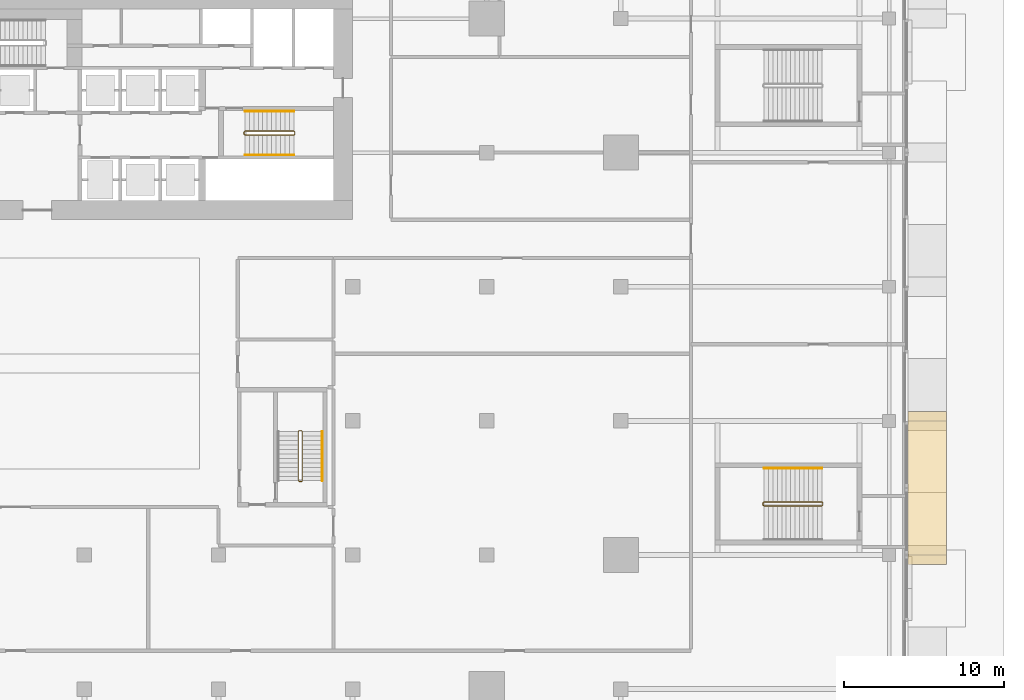
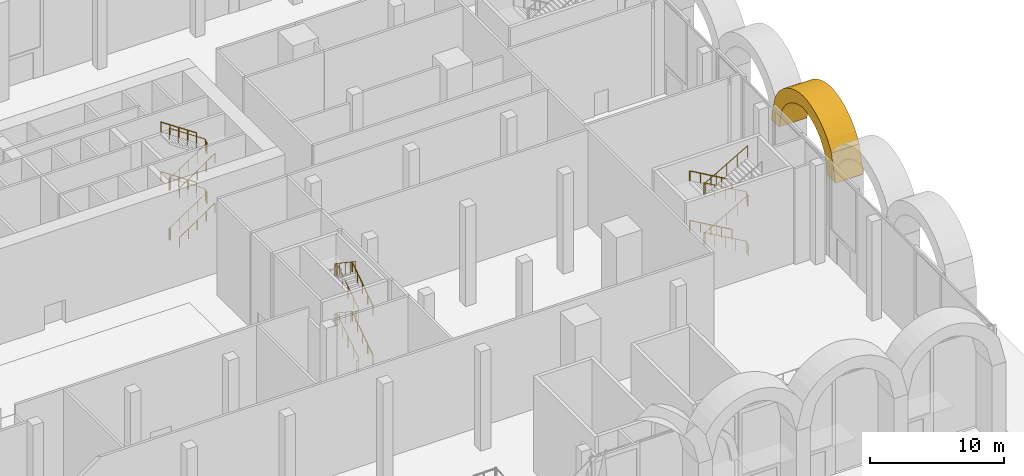
# One storey, part 39 of 43: 11 railings, 1 covering.
"""IFC4 building model written with IfcOpenShell, lengths in metres."""

from ifc_helpers import new_model, si_unit, direction, frame, origin, origin_2d, place, context, subcontext, project, spatial, polyline, circle, outline, extrude, material, layer, layer_set, type_object, element, save


model = new_model("IFC4")

# Units and contexts
model_context = context("Model", 3, precision=1e-05, world=origin(), true_north=direction((0.0, 1.0)))
body_context = subcontext(model_context, "Body", "Model", "MODEL_VIEW")
ifc_project = project(units=[si_unit("LENGTHUNIT", "METRE"), si_unit("AREAUNIT", "SQUARE_METRE"), si_unit("VOLUMEUNIT", "CUBIC_METRE"), si_unit("PLANEANGLEUNIT", "RADIAN"), si_unit("MASSUNIT", "GRAM", prefix="KILO")], contexts=[model_context])

# Site, building, storey
site_placement = place(None, origin())
site = spatial("IfcSite", under=ifc_project, at=site_placement, CompositionType="ELEMENT")
building_placement = place(site_placement, origin())
building = spatial("IfcBuilding", under=site, at=building_placement, Name="Saffron Gate Tower", CompositionType="ELEMENT")
storey_placement = place(building_placement, origin())
storey = spatial("IfcBuildingStorey", under=building, at=storey_placement, Name="L00", CompositionType="ELEMENT", Elevation=0.0)

# Covering
ifc_material_1 = material(Name="Cast stone cladding, pale limestone", Category="masonry")
ifc_layer = layer(ifc_material_1, 2.39990234375)
ifc_layer_set = layer_set([ifc_layer], Name="AR2 arcade arch")
covering_type = type_object("IfcCoveringType", Name="AR2 arcade arch", PredefinedType="CLADDING", material=ifc_layer_set)
covering_placement = place(storey_placement, frame((145.800048828125, 40.800048828125, 7.0), z_axis=(1.0, 0.0, 0.0), x_axis=(0.0, 0.239115028028, 0.970991247835)))
element("IfcCovering", 1, at=covering_placement, inside=storey, type_object=covering_type, Name="ARCADE ARCH", PredefinedType="CLADDING", context=body_context, shape_type="SweptSolid", body=[
    extrude(outline(polyline([(0.0, 0.0), (1.881735228381075, 0.0), (2.646925345116447, -0.2749589311548678), (3.203267002539746, -0.6013486093049456), (3.6394784237266933, -0.9575728359066504), (3.990290439579541, -1.334575973358484), (4.272829633319021, -1.7283918862185135), (4.4965783413497675, -2.136685466791156), (4.666988907104446, -2.558114028151451), (4.7118168931901065, -3.0107198248883336), (4.70324835930731, -3.4762235440027536), (4.63588933971578, -3.956204930829786), (4.500257498010882, -4.452999093065014), (4.279284628664273, -4.970809224560487), (3.9381815230813135, -5.518453904507588), (3.3881715804938914, -6.117292273039781), (1.721616526260766, -6.991089572726843), (2.0085428843554953, -8.156231658446298), (4.17216134140188, -7.005647442456348), (4.878523373773681, -6.213673843174959), (5.310371767231315, -5.489301611680691), (5.5839235204239435, -4.804162737112771), (5.743391800658454, -4.146866474174116), (5.8116509706907475, -3.512282681215563), (5.800200137231722, -2.897076734489788), (5.715735313457013, -2.29985111702), (5.513273779136993, -1.7319346487703329), (5.237739876808899, -1.1817614513665375), (4.882612726374266, -0.6514402170157529), (4.436159710352636, -0.14335733582483634), (3.8756815990652784, 0.3366458753266979), (3.1569068475129147, 0.7774157295518843), (2.1635600793539953, 1.1508212744000663), (-0.2869263580947294, 1.1651420857194545), (0.0, 0.0)])), origin(), (0.0, 0.0, -1.0), 2.39990234375),
])

# Railings
ifc_material_2 = material(Name="Stainless steel and laminated glass", Category="steel")
railing_type_1 = type_object("IfcRailingType", Name="CR1 Stair guard 1100", PredefinedType="GUARDRAIL", material=ifc_material_2)
railing_1_placement = place(storey_placement, frame((101.800048828125, 66.699951171875, 0.0)))
element("IfcRailing", 2, at=railing_1_placement, inside=storey, type_object=railing_type_1, Name="L00 ST-B stair guard 1", PredefinedType="GUARDRAIL", context=body_context, shape_type="SweptSolid", body=[
    extrude(circle(Radius=0.02392578125, at=origin_2d()), frame((0.0, 0.0, 1.076171875), z_axis=(0.0, -1.0, 0.0), x_axis=(1.0, 0.0, 0.0)), (0.0, 0.0, 1.0), 0.14990234375),
    extrude(circle(Radius=0.02392578125, at=origin_2d()), frame((0.0, -0.14990234375, 1.076171875), z_axis=(0.249726431254, -0.249726431254, 0.935560483917), x_axis=(0.707106781187, 0.707106781187, 0.0)), (0.0, 0.0, 1.0), 0.200439453125),
    extrude(circle(Radius=0.02392578125, at=origin_2d()), frame((0.050048828125, -0.199951171875, 1.263671875), z_axis=(0.830893310487, 0.0, 0.556431762742), x_axis=(0.0, 1.0, 0.0)), (0.0, 0.0, 1.0), 3.70654296875),
    extrude(circle(Radius=0.02392578125, at=origin_2d()), frame((3.1298828125, -0.199951171875, 3.326171875), z_axis=(0.707106781187, 0.707106781187, 0.0), x_axis=(-0.707106781187, 0.707106781187, 0.0)), (0.0, 0.0, 1.0), 0.07080078125),
    extrude(circle(Radius=0.02392578125, at=origin_2d()), frame((3.179931640625, -0.14990234375, 3.326171875), z_axis=(0.0, 1.0, 0.0), x_axis=(-1.0, 0.0, 0.0)), (0.0, 0.0, 1.0), 0.14990234375),
    extrude(circle(Radius=0.02392578125, at=origin_2d()), frame((3.179931640625, 0.0, 3.326171875), z_axis=(-0.249726431254, 0.249726431254, 0.935560483917), x_axis=(-0.707106781187, -0.707106781187, 0.0)), (0.0, 0.0, 1.0), 0.200439453125),
    extrude(circle(Radius=0.02392578125, at=origin_2d()), frame((3.1298828125, 0.050048828125, 3.513671875), z_axis=(-0.830893310487, 0.0, 0.556431762742), x_axis=(0.0, -1.0, 0.0)), (0.0, 0.0, 1.0), 3.70654296875),
    extrude(circle(Radius=0.02392578125, at=origin_2d()), frame((0.050048828125, 0.050048828125, 5.576171875), z_axis=(-0.707106781187, -0.707106781187, 0.0), x_axis=(0.707106781187, -0.707106781187, 0.0)), (0.0, 0.0, 1.0), 0.07080078125),
    extrude(circle(Radius=0.02392578125, at=origin_2d()), frame((0.0, 0.0, 5.576171875), z_axis=(0.0, -1.0, 0.0), x_axis=(1.0, 0.0, 0.0)), (0.0, 0.0, 1.0), 0.14990234375),
    extrude(circle(Radius=0.02392578125, at=origin_2d()), frame((0.0, -0.14990234375, 5.576171875), z_axis=(0.249726431254, -0.249726431254, 0.935560483917), x_axis=(0.707106781187, 0.707106781187, 0.0)), (0.0, 0.0, 1.0), 0.200439453125),
    extrude(circle(Radius=0.02392578125, at=origin_2d()), frame((0.050048828125, -0.199951171875, 5.763671875), z_axis=(0.830893310487, 0.0, 0.556431762742), x_axis=(0.0, 1.0, 0.0)), (0.0, 0.0, 1.0), 3.70654296875),
    extrude(circle(Radius=0.02392578125, at=origin_2d()), frame((3.1298828125, -0.199951171875, 7.826171875), z_axis=(0.707106781187, 0.707106781187, 0.0), x_axis=(-0.707106781187, 0.707106781187, 0.0)), (0.0, 0.0, 1.0), 0.07080078125),
    extrude(circle(Radius=0.02392578125, at=origin_2d()), frame((3.179931640625, -0.14990234375, 7.826171875), z_axis=(0.0, 1.0, 0.0), x_axis=(-1.0, 0.0, 0.0)), (0.0, 0.0, 1.0), 0.14990234375),
    extrude(circle(Radius=0.02392578125, at=origin_2d()), frame((3.179931640625, 0.0, 7.826171875), z_axis=(-0.249726431254, 0.249726431254, 0.935560483917), x_axis=(-0.707106781187, -0.707106781187, 0.0)), (0.0, 0.0, 1.0), 0.200439453125),
    extrude(circle(Radius=0.02392578125, at=origin_2d()), frame((3.1298828125, 0.050048828125, 8.013671875), z_axis=(-0.830893310487, 0.0, 0.556431762742), x_axis=(0.0, -1.0, 0.0)), (0.0, 0.0, 1.0), 3.70654296875),
    extrude(circle(Radius=0.02099609375, at=origin_2d()), origin(), (0.0, 0.0, 1.0), 1.052001953125),
    extrude(circle(Radius=0.02099609375, at=origin_2d()), frame((0.0, -0.14990234375, 0.0)), (0.0, 0.0, 1.0), 1.052001953125),
    extrude(circle(Radius=0.02099609375, at=origin_2d()), frame((0.050048828125, -0.199951171875, 0.1875)), (0.0, 0.0, 1.0), 1.052001953125),
    extrude(circle(Radius=0.02099609375, at=origin_2d()), frame((0.820068359375, -0.199951171875, 0.703125)), (0.0, 0.0, 1.0), 1.052001953125),
    extrude(circle(Radius=0.02099609375, at=origin_2d()), frame((1.58984375, -0.199951171875, 1.21875)), (0.0, 0.0, 1.0), 1.052001953125),
    extrude(circle(Radius=0.02099609375, at=origin_2d()), frame((2.35986328125, -0.199951171875, 1.734375)), (0.0, 0.0, 1.0), 1.052001953125),
    extrude(circle(Radius=0.02099609375, at=origin_2d()), frame((3.1298828125, -0.199951171875, 2.25)), (0.0, 0.0, 1.0), 1.052001953125),
    extrude(circle(Radius=0.02099609375, at=origin_2d()), frame((3.179931640625, -0.14990234375, 2.25)), (0.0, 0.0, 1.0), 1.052001953125),
    extrude(circle(Radius=0.02099609375, at=origin_2d()), frame((3.179931640625, 0.0, 2.25)), (0.0, 0.0, 1.0), 1.052001953125),
    extrude(circle(Radius=0.02099609375, at=origin_2d()), frame((3.1298828125, 0.050048828125, 2.4375)), (0.0, 0.0, 1.0), 1.052001953125),
    extrude(circle(Radius=0.02099609375, at=origin_2d()), frame((2.35986328125, 0.050048828125, 2.953125)), (0.0, 0.0, 1.0), 1.052001953125),
    extrude(circle(Radius=0.02099609375, at=origin_2d()), frame((1.58984375, 0.050048828125, 3.46875)), (0.0, 0.0, 1.0), 1.052001953125),
    extrude(circle(Radius=0.02099609375, at=origin_2d()), frame((0.820068359375, 0.050048828125, 3.984375)), (0.0, 0.0, 1.0), 1.052001953125),
    extrude(circle(Radius=0.02099609375, at=origin_2d()), frame((0.050048828125, 0.050048828125, 4.5)), (0.0, 0.0, 1.0), 1.052001953125),
    extrude(circle(Radius=0.02099609375, at=origin_2d()), frame((0.0, 0.0, 4.5)), (0.0, 0.0, 1.0), 1.052001953125),
    extrude(circle(Radius=0.02099609375, at=origin_2d()), frame((0.0, -0.14990234375, 4.5)), (0.0, 0.0, 1.0), 1.052001953125),
    extrude(circle(Radius=0.02099609375, at=origin_2d()), frame((0.050048828125, -0.199951171875, 4.6875)), (0.0, 0.0, 1.0), 1.052001953125),
    extrude(circle(Radius=0.02099609375, at=origin_2d()), frame((0.820068359375, -0.199951171875, 5.203125)), (0.0, 0.0, 1.0), 1.052001953125),
    extrude(circle(Radius=0.02099609375, at=origin_2d()), frame((1.58984375, -0.199951171875, 5.71875)), (0.0, 0.0, 1.0), 1.052001953125),
    extrude(circle(Radius=0.02099609375, at=origin_2d()), frame((2.35986328125, -0.199951171875, 6.234375)), (0.0, 0.0, 1.0), 1.052001953125),
    extrude(circle(Radius=0.02099609375, at=origin_2d()), frame((3.1298828125, -0.199951171875, 6.75)), (0.0, 0.0, 1.0), 1.052001953125),
    extrude(circle(Radius=0.02099609375, at=origin_2d()), frame((3.179931640625, -0.14990234375, 6.75)), (0.0, 0.0, 1.0), 1.052001953125),
    extrude(circle(Radius=0.02099609375, at=origin_2d()), frame((3.179931640625, 0.0, 6.75)), (0.0, 0.0, 1.0), 1.052001953125),
    extrude(circle(Radius=0.02099609375, at=origin_2d()), frame((3.1298828125, 0.050048828125, 6.9375)), (0.0, 0.0, 1.0), 1.052001953125),
    extrude(circle(Radius=0.02099609375, at=origin_2d()), frame((2.35986328125, 0.050048828125, 7.453125)), (0.0, 0.0, 1.0), 1.052001953125),
    extrude(circle(Radius=0.02099609375, at=origin_2d()), frame((1.58984375, 0.050048828125, 7.96875)), (0.0, 0.0, 1.0), 1.052001953125),
    extrude(circle(Radius=0.02099609375, at=origin_2d()), frame((0.820068359375, 0.050048828125, 8.484375)), (0.0, 0.0, 1.0), 1.052001953125),
    extrude(circle(Radius=0.02099609375, at=origin_2d()), frame((0.050048828125, 0.050048828125, 9.0)), (0.0, 0.0, 1.0), 1.052001953125),
])
railing_2_placement = place(storey_placement, frame((105.25, 44.800048828125, 0.0)))
element("IfcRailing", 3, at=railing_2_placement, inside=storey, type_object=railing_type_1, Name="L00 ST-E stair guard 1", PredefinedType="GUARDRAIL", context=body_context, shape_type="SweptSolid", body=[
    extrude(circle(Radius=0.02392578125, at=origin_2d()), frame((0.0, 0.0, 1.076171875), z_axis=(1.0, 0.0, 0.0), x_axis=(0.0, 1.0, 0.0)), (0.0, 0.0, 1.0), 0.14990234375),
    extrude(circle(Radius=0.02392578125, at=origin_2d()), frame((0.14990234375, 0.0, 1.076171875), z_axis=(0.249726431254, 0.249726431254, 0.935560483917), x_axis=(-0.707106781187, 0.707106781187, 0.0)), (0.0, 0.0, 1.0), 0.200439453125),
    extrude(circle(Radius=0.02392578125, at=origin_2d()), frame((0.199951171875, 0.050048828125, 1.263671875), z_axis=(0.0, 0.830893310487, 0.556431762742), x_axis=(-1.0, 0.0, 0.0)), (0.0, 0.0, 1.0), 3.70654296875),
    extrude(circle(Radius=0.02392578125, at=origin_2d()), frame((0.199951171875, 3.1298828125, 3.326171875), z_axis=(-0.707106781187, 0.707106781187, 0.0), x_axis=(-0.707106781187, -0.707106781187, 0.0)), (0.0, 0.0, 1.0), 0.07080078125),
    extrude(circle(Radius=0.02392578125, at=origin_2d()), frame((0.14990234375, 3.179931640625, 3.326171875), z_axis=(-1.0, 0.0, 0.0), x_axis=(0.0, -1.0, 0.0)), (0.0, 0.0, 1.0), 0.14990234375),
    extrude(circle(Radius=0.02392578125, at=origin_2d()), frame((0.0, 3.179931640625, 3.326171875), z_axis=(-0.249726431254, -0.249726431254, 0.935560483917), x_axis=(0.707106781187, -0.707106781187, 0.0)), (0.0, 0.0, 1.0), 0.200439453125),
    extrude(circle(Radius=0.02392578125, at=origin_2d()), frame((-0.050048828125, 3.1298828125, 3.513671875), z_axis=(0.0, -0.830893310487, 0.556431762742), x_axis=(1.0, 0.0, 0.0)), (0.0, 0.0, 1.0), 3.70654296875),
    extrude(circle(Radius=0.02392578125, at=origin_2d()), frame((-0.050048828125, 0.050048828125, 5.576171875), z_axis=(0.707106781187, -0.707106781187, 0.0), x_axis=(0.707106781187, 0.707106781187, 0.0)), (0.0, 0.0, 1.0), 0.07080078125),
    extrude(circle(Radius=0.02392578125, at=origin_2d()), frame((0.0, 0.0, 5.576171875), z_axis=(1.0, 0.0, 0.0), x_axis=(0.0, 1.0, 0.0)), (0.0, 0.0, 1.0), 0.14990234375),
    extrude(circle(Radius=0.02392578125, at=origin_2d()), frame((0.14990234375, 0.0, 5.576171875), z_axis=(0.249726431254, 0.249726431254, 0.935560483917), x_axis=(-0.707106781187, 0.707106781187, 0.0)), (0.0, 0.0, 1.0), 0.200439453125),
    extrude(circle(Radius=0.02392578125, at=origin_2d()), frame((0.199951171875, 0.050048828125, 5.763671875), z_axis=(0.0, 0.830893310487, 0.556431762742), x_axis=(-1.0, 0.0, 0.0)), (0.0, 0.0, 1.0), 3.70654296875),
    extrude(circle(Radius=0.02392578125, at=origin_2d()), frame((0.199951171875, 3.1298828125, 7.826171875), z_axis=(-0.707106781187, 0.707106781187, 0.0), x_axis=(-0.707106781187, -0.707106781187, 0.0)), (0.0, 0.0, 1.0), 0.07080078125),
    extrude(circle(Radius=0.02392578125, at=origin_2d()), frame((0.14990234375, 3.179931640625, 7.826171875), z_axis=(-1.0, 0.0, 0.0), x_axis=(0.0, -1.0, 0.0)), (0.0, 0.0, 1.0), 0.14990234375),
    extrude(circle(Radius=0.02392578125, at=origin_2d()), frame((0.0, 3.179931640625, 7.826171875), z_axis=(-0.249726431254, -0.249726431254, 0.935560483917), x_axis=(0.707106781187, -0.707106781187, 0.0)), (0.0, 0.0, 1.0), 0.200439453125),
    extrude(circle(Radius=0.02392578125, at=origin_2d()), frame((-0.050048828125, 3.1298828125, 8.013671875), z_axis=(0.0, -0.830893310487, 0.556431762742), x_axis=(1.0, 0.0, 0.0)), (0.0, 0.0, 1.0), 3.70654296875),
    extrude(circle(Radius=0.02099609375, at=origin_2d()), origin(), (0.0, 0.0, 1.0), 1.052001953125),
    extrude(circle(Radius=0.02099609375, at=origin_2d()), frame((0.14990234375, 0.0, 0.0)), (0.0, 0.0, 1.0), 1.052001953125),
    extrude(circle(Radius=0.02099609375, at=origin_2d()), frame((0.199951171875, 0.050048828125, 0.1875)), (0.0, 0.0, 1.0), 1.052001953125),
    extrude(circle(Radius=0.02099609375, at=origin_2d()), frame((0.199951171875, 0.820068359375, 0.703125)), (0.0, 0.0, 1.0), 1.052001953125),
    extrude(circle(Radius=0.02099609375, at=origin_2d()), frame((0.199951171875, 1.58984375, 1.21875)), (0.0, 0.0, 1.0), 1.052001953125),
    extrude(circle(Radius=0.02099609375, at=origin_2d()), frame((0.199951171875, 2.35986328125, 1.734375)), (0.0, 0.0, 1.0), 1.052001953125),
    extrude(circle(Radius=0.02099609375, at=origin_2d()), frame((0.199951171875, 3.1298828125, 2.25)), (0.0, 0.0, 1.0), 1.052001953125),
    extrude(circle(Radius=0.02099609375, at=origin_2d()), frame((0.14990234375, 3.179931640625, 2.25)), (0.0, 0.0, 1.0), 1.052001953125),
    extrude(circle(Radius=0.02099609375, at=origin_2d()), frame((0.0, 3.179931640625, 2.25)), (0.0, 0.0, 1.0), 1.052001953125),
    extrude(circle(Radius=0.02099609375, at=origin_2d()), frame((-0.050048828125, 3.1298828125, 2.4375)), (0.0, 0.0, 1.0), 1.052001953125),
    extrude(circle(Radius=0.02099609375, at=origin_2d()), frame((-0.050048828125, 2.35986328125, 2.953125)), (0.0, 0.0, 1.0), 1.052001953125),
    extrude(circle(Radius=0.02099609375, at=origin_2d()), frame((-0.050048828125, 1.58984375, 3.46875)), (0.0, 0.0, 1.0), 1.052001953125),
    extrude(circle(Radius=0.02099609375, at=origin_2d()), frame((-0.050048828125, 0.820068359375, 3.984375)), (0.0, 0.0, 1.0), 1.052001953125),
    extrude(circle(Radius=0.02099609375, at=origin_2d()), frame((-0.050048828125, 0.050048828125, 4.5)), (0.0, 0.0, 1.0), 1.052001953125),
    extrude(circle(Radius=0.02099609375, at=origin_2d()), frame((0.0, 0.0, 4.5)), (0.0, 0.0, 1.0), 1.052001953125),
    extrude(circle(Radius=0.02099609375, at=origin_2d()), frame((0.14990234375, 0.0, 4.5)), (0.0, 0.0, 1.0), 1.052001953125),
    extrude(circle(Radius=0.02099609375, at=origin_2d()), frame((0.199951171875, 0.050048828125, 4.6875)), (0.0, 0.0, 1.0), 1.052001953125),
    extrude(circle(Radius=0.02099609375, at=origin_2d()), frame((0.199951171875, 0.820068359375, 5.203125)), (0.0, 0.0, 1.0), 1.052001953125),
    extrude(circle(Radius=0.02099609375, at=origin_2d()), frame((0.199951171875, 1.58984375, 5.71875)), (0.0, 0.0, 1.0), 1.052001953125),
    extrude(circle(Radius=0.02099609375, at=origin_2d()), frame((0.199951171875, 2.35986328125, 6.234375)), (0.0, 0.0, 1.0), 1.052001953125),
    extrude(circle(Radius=0.02099609375, at=origin_2d()), frame((0.199951171875, 3.1298828125, 6.75)), (0.0, 0.0, 1.0), 1.052001953125),
    extrude(circle(Radius=0.02099609375, at=origin_2d()), frame((0.14990234375, 3.179931640625, 6.75)), (0.0, 0.0, 1.0), 1.052001953125),
    extrude(circle(Radius=0.02099609375, at=origin_2d()), frame((0.0, 3.179931640625, 6.75)), (0.0, 0.0, 1.0), 1.052001953125),
    extrude(circle(Radius=0.02099609375, at=origin_2d()), frame((-0.050048828125, 3.1298828125, 6.9375)), (0.0, 0.0, 1.0), 1.052001953125),
    extrude(circle(Radius=0.02099609375, at=origin_2d()), frame((-0.050048828125, 2.35986328125, 7.453125)), (0.0, 0.0, 1.0), 1.052001953125),
    extrude(circle(Radius=0.02099609375, at=origin_2d()), frame((-0.050048828125, 1.58984375, 7.96875)), (0.0, 0.0, 1.0), 1.052001953125),
    extrude(circle(Radius=0.02099609375, at=origin_2d()), frame((-0.050048828125, 0.820068359375, 8.484375)), (0.0, 0.0, 1.0), 1.052001953125),
    extrude(circle(Radius=0.02099609375, at=origin_2d()), frame((-0.050048828125, 0.050048828125, 9.0)), (0.0, 0.0, 1.0), 1.052001953125),
])
railing_3_placement = place(storey_placement, frame((138.050048828125, 43.324951171875, 0.0)))
element("IfcRailing", 4, at=railing_3_placement, inside=storey, type_object=railing_type_1, Name="L00 ST-K stair guard 1", PredefinedType="GUARDRAIL", context=body_context, shape_type="SweptSolid", body=[
    extrude(circle(Radius=0.02392578125, at=origin_2d()), frame((0.0, 0.0, 1.076171875), z_axis=(0.0, 1.0, 0.0), x_axis=(-1.0, 0.0, 0.0)), (0.0, 0.0, 1.0), 0.150146484375),
    extrude(circle(Radius=0.02392578125, at=origin_2d()), frame((0.0, 0.150146484375, 1.076171875), z_axis=(-0.285216442382, 0.283825142663, 0.915475215059), x_axis=(-0.705375805398, -0.708833529934, 0.0)), (0.0, 0.0, 1.0), 0.175537109375),
    extrude(circle(Radius=0.02392578125, at=origin_2d()), frame((-0.050048828125, 0.199951171875, 1.23681640625), z_axis=(-0.8672749571, 0.0, 0.497829437445), x_axis=(0.0, -1.0, 0.0)), (0.0, 0.0, 1.0), 4.197021484375),
    extrude(circle(Radius=0.02392578125, at=origin_2d()), frame((-3.68994140625, 0.199951171875, 3.326171875), z_axis=(-0.708833529934, -0.705375805398, 0.0), x_axis=(0.705375805398, -0.708833529934, 0.0)), (0.0, 0.0, 1.0), 0.070556640625),
    extrude(circle(Radius=0.02392578125, at=origin_2d()), frame((-3.739990234375, 0.150146484375, 3.326171875), z_axis=(0.0, -1.0, 0.0), x_axis=(1.0, 0.0, 0.0)), (0.0, 0.0, 1.0), 0.150146484375),
    extrude(circle(Radius=0.02392578125, at=origin_2d()), frame((-3.739990234375, 0.0, 3.326171875), z_axis=(0.285103605394, -0.285103605394, 0.91511303585), x_axis=(0.707106781187, 0.707106781187, 0.0)), (0.0, 0.0, 1.0), 0.175537109375),
    extrude(circle(Radius=0.02392578125, at=origin_2d()), frame((-3.68994140625, -0.050048828125, 3.48681640625), z_axis=(0.8672749571, 0.0, 0.497829437445), x_axis=(0.0, 1.0, 0.0)), (0.0, 0.0, 1.0), 4.197021484375),
    extrude(circle(Radius=0.02392578125, at=origin_2d()), frame((-0.050048828125, -0.050048828125, 5.576171875), z_axis=(0.707106781187, 0.707106781187, 0.0), x_axis=(-0.707106781187, 0.707106781187, 0.0)), (0.0, 0.0, 1.0), 0.07080078125),
    extrude(circle(Radius=0.02392578125, at=origin_2d()), frame((0.0, 0.0, 5.576171875), z_axis=(0.0, 1.0, 0.0), x_axis=(-1.0, 0.0, 0.0)), (0.0, 0.0, 1.0), 0.150146484375),
    extrude(circle(Radius=0.02392578125, at=origin_2d()), frame((0.0, 0.150146484375, 5.576171875), z_axis=(-0.285216442382, 0.283825142663, 0.915475215059), x_axis=(-0.705375805398, -0.708833529934, 0.0)), (0.0, 0.0, 1.0), 0.175537109375),
    extrude(circle(Radius=0.02392578125, at=origin_2d()), frame((-0.050048828125, 0.199951171875, 5.73681640625), z_axis=(-0.8672749571, 0.0, 0.497829437445), x_axis=(0.0, -1.0, 0.0)), (0.0, 0.0, 1.0), 4.197021484375),
    extrude(circle(Radius=0.02392578125, at=origin_2d()), frame((-3.68994140625, 0.199951171875, 7.826171875), z_axis=(-0.708833529934, -0.705375805398, 0.0), x_axis=(0.705375805398, -0.708833529934, 0.0)), (0.0, 0.0, 1.0), 0.070556640625),
    extrude(circle(Radius=0.02392578125, at=origin_2d()), frame((-3.739990234375, 0.150146484375, 7.826171875), z_axis=(0.0, -1.0, 0.0), x_axis=(1.0, 0.0, 0.0)), (0.0, 0.0, 1.0), 0.150146484375),
    extrude(circle(Radius=0.02392578125, at=origin_2d()), frame((-3.739990234375, 0.0, 7.826171875), z_axis=(0.285103605394, -0.285103605394, 0.91511303585), x_axis=(0.707106781187, 0.707106781187, 0.0)), (0.0, 0.0, 1.0), 0.175537109375),
    extrude(circle(Radius=0.02392578125, at=origin_2d()), frame((-3.68994140625, -0.050048828125, 7.98681640625), z_axis=(0.8672749571, 0.0, 0.497829437445), x_axis=(0.0, 1.0, 0.0)), (0.0, 0.0, 1.0), 4.197021484375),
    extrude(circle(Radius=0.02099609375, at=origin_2d()), origin(), (0.0, 0.0, 1.0), 1.052001953125),
    extrude(circle(Radius=0.02099609375, at=origin_2d()), frame((0.0, 0.150146484375, 0.0)), (0.0, 0.0, 1.0), 1.052001953125),
    extrude(circle(Radius=0.02099609375, at=origin_2d()), frame((-0.050048828125, 0.199951171875, 0.16064453125)), (0.0, 0.0, 1.0), 1.052001953125),
    extrude(circle(Radius=0.02099609375, at=origin_2d()), frame((-0.9599609375, 0.199951171875, 0.68310546875)), (0.0, 0.0, 1.0), 1.052001953125),
    extrude(circle(Radius=0.02099609375, at=origin_2d()), frame((-1.8701171875, 0.199951171875, 1.205322265625)), (0.0, 0.0, 1.0), 1.052001953125),
    extrude(circle(Radius=0.02099609375, at=origin_2d()), frame((-2.780029296875, 0.199951171875, 1.7275390625)), (0.0, 0.0, 1.0), 1.052001953125),
    extrude(circle(Radius=0.02099609375, at=origin_2d()), frame((-3.68994140625, 0.199951171875, 2.25)), (0.0, 0.0, 1.0), 1.052001953125),
    extrude(circle(Radius=0.02099609375, at=origin_2d()), frame((-3.739990234375, 0.150146484375, 2.25)), (0.0, 0.0, 1.0), 1.052001953125),
    extrude(circle(Radius=0.02099609375, at=origin_2d()), frame((-3.739990234375, 0.0, 2.25)), (0.0, 0.0, 1.0), 1.052001953125),
    extrude(circle(Radius=0.02099609375, at=origin_2d()), frame((-3.68994140625, -0.050048828125, 2.41064453125)), (0.0, 0.0, 1.0), 1.052001953125),
    extrude(circle(Radius=0.02099609375, at=origin_2d()), frame((-2.780029296875, -0.050048828125, 2.93310546875)), (0.0, 0.0, 1.0), 1.052001953125),
    extrude(circle(Radius=0.02099609375, at=origin_2d()), frame((-1.8701171875, -0.050048828125, 3.455322265625)), (0.0, 0.0, 1.0), 1.052001953125),
    extrude(circle(Radius=0.02099609375, at=origin_2d()), frame((-0.9599609375, -0.050048828125, 3.9775390625)), (0.0, 0.0, 1.0), 1.052001953125),
    extrude(circle(Radius=0.02099609375, at=origin_2d()), frame((-0.050048828125, -0.050048828125, 4.5)), (0.0, 0.0, 1.0), 1.052001953125),
    extrude(circle(Radius=0.02099609375, at=origin_2d()), frame((0.0, 0.0, 4.5)), (0.0, 0.0, 1.0), 1.052001953125),
    extrude(circle(Radius=0.02099609375, at=origin_2d()), frame((0.0, 0.150146484375, 4.5)), (0.0, 0.0, 1.0), 1.052001953125),
    extrude(circle(Radius=0.02099609375, at=origin_2d()), frame((-0.050048828125, 0.199951171875, 4.66064453125)), (0.0, 0.0, 1.0), 1.052001953125),
    extrude(circle(Radius=0.02099609375, at=origin_2d()), frame((-0.9599609375, 0.199951171875, 5.18310546875)), (0.0, 0.0, 1.0), 1.052001953125),
    extrude(circle(Radius=0.02099609375, at=origin_2d()), frame((-1.8701171875, 0.199951171875, 5.705322265625)), (0.0, 0.0, 1.0), 1.052001953125),
    extrude(circle(Radius=0.02099609375, at=origin_2d()), frame((-2.780029296875, 0.199951171875, 6.2275390625)), (0.0, 0.0, 1.0), 1.052001953125),
    extrude(circle(Radius=0.02099609375, at=origin_2d()), frame((-3.68994140625, 0.199951171875, 6.75)), (0.0, 0.0, 1.0), 1.052001953125),
    extrude(circle(Radius=0.02099609375, at=origin_2d()), frame((-3.739990234375, 0.150146484375, 6.75)), (0.0, 0.0, 1.0), 1.052001953125),
    extrude(circle(Radius=0.02099609375, at=origin_2d()), frame((-3.739990234375, 0.0, 6.75)), (0.0, 0.0, 1.0), 1.052001953125),
    extrude(circle(Radius=0.02099609375, at=origin_2d()), frame((-3.68994140625, -0.050048828125, 6.91064453125)), (0.0, 0.0, 1.0), 1.052001953125),
    extrude(circle(Radius=0.02099609375, at=origin_2d()), frame((-2.780029296875, -0.050048828125, 7.43310546875)), (0.0, 0.0, 1.0), 1.052001953125),
    extrude(circle(Radius=0.02099609375, at=origin_2d()), frame((-1.8701171875, -0.050048828125, 7.955322265625)), (0.0, 0.0, 1.0), 1.052001953125),
    extrude(circle(Radius=0.02099609375, at=origin_2d()), frame((-0.9599609375, -0.050048828125, 8.4775390625)), (0.0, 0.0, 1.0), 1.052001953125),
    extrude(circle(Radius=0.02099609375, at=origin_2d()), frame((-0.050048828125, -0.050048828125, 9.0)), (0.0, 0.0, 1.0), 1.052001953125),
])
ifc_material_3 = material(Name="Stainless steel", Category="steel")
railing_type_2 = type_object("IfcRailingType", Name="CR2 Stair handrail 900", PredefinedType="HANDRAIL", material=ifc_material_3)
railing_4_placement = place(storey_placement, frame((101.85009765625, 65.25, 0.1875)))
element("IfcRailing", 5, at=railing_4_placement, inside=storey, type_object=railing_type_2, Name="L00 ST-B stair handrail 1", PredefinedType="HANDRAIL", context=body_context, shape_type="SweptSolid", body=[
    extrude(circle(Radius=0.02392578125, at=origin_2d()), frame((0.0, 0.0, 0.8759765625), z_axis=(0.830893310487, 0.0, 0.556431762742), x_axis=(0.0, 1.0, 0.0)), (0.0, 0.0, 1.0), 3.70654296875),
    extrude(circle(Radius=0.02099609375, at=origin_2d()), origin(), (0.0, 0.0, 1.0), 0.851806640625),
    extrude(circle(Radius=0.02099609375, at=origin_2d()), frame((0.77001953125, 0.0, 0.515625)), (0.0, 0.0, 1.0), 0.851806640625),
    extrude(circle(Radius=0.02099609375, at=origin_2d()), frame((1.5400390625, 0.0, 1.03125)), (0.0, 0.0, 1.0), 0.851806640625),
    extrude(circle(Radius=0.02099609375, at=origin_2d()), frame((2.309814453125, 0.0, 1.546875)), (0.0, 0.0, 1.0), 0.851806640625),
    extrude(circle(Radius=0.02099609375, at=origin_2d()), frame((3.079833984375, 0.0, 2.0625)), (0.0, 0.0, 1.0), 0.851806640625),
])
railing_5_placement = place(storey_placement, frame((104.929931640625, 68.0, 2.4375)))
element("IfcRailing", 6, at=railing_5_placement, inside=storey, type_object=railing_type_2, Name="L00 ST-B stair handrail 2", PredefinedType="HANDRAIL", context=body_context, shape_type="SweptSolid", body=[
    extrude(circle(Radius=0.02392578125, at=origin_2d()), frame((0.0, 0.0, 0.8759765625), z_axis=(-0.830893310487, 0.0, 0.556431762742), x_axis=(0.0, -1.0, 0.0)), (0.0, 0.0, 1.0), 3.70654296875),
    extrude(circle(Radius=0.02099609375, at=origin_2d()), origin(), (0.0, 0.0, 1.0), 0.851806640625),
    extrude(circle(Radius=0.02099609375, at=origin_2d()), frame((-0.77001953125, 0.0, 0.515625)), (0.0, 0.0, 1.0), 0.851806640625),
    extrude(circle(Radius=0.02099609375, at=origin_2d()), frame((-1.5400390625, 0.0, 1.03125)), (0.0, 0.0, 1.0), 0.851806640625),
    extrude(circle(Radius=0.02099609375, at=origin_2d()), frame((-2.309814453125, 0.0, 1.546875)), (0.0, 0.0, 1.0), 0.851806640625),
    extrude(circle(Radius=0.02099609375, at=origin_2d()), frame((-3.079833984375, 0.0, 2.0625)), (0.0, 0.0, 1.0), 0.851806640625),
])
railing_6_placement = place(storey_placement, frame((101.85009765625, 65.25, 4.6875)))
element("IfcRailing", 7, at=railing_6_placement, inside=storey, type_object=railing_type_2, Name="L00 ST-B stair handrail 3", PredefinedType="HANDRAIL", context=body_context, shape_type="SweptSolid", body=[
    extrude(circle(Radius=0.02392578125, at=origin_2d()), frame((0.0, 0.0, 0.8759765625), z_axis=(0.830893310487, 0.0, 0.556431762742), x_axis=(0.0, 1.0, 0.0)), (0.0, 0.0, 1.0), 3.70654296875),
    extrude(circle(Radius=0.02099609375, at=origin_2d()), origin(), (0.0, 0.0, 1.0), 0.851806640625),
    extrude(circle(Radius=0.02099609375, at=origin_2d()), frame((0.77001953125, 0.0, 0.515625)), (0.0, 0.0, 1.0), 0.851806640625),
    extrude(circle(Radius=0.02099609375, at=origin_2d()), frame((1.5400390625, 0.0, 1.03125)), (0.0, 0.0, 1.0), 0.851806640625),
    extrude(circle(Radius=0.02099609375, at=origin_2d()), frame((2.309814453125, 0.0, 1.546875)), (0.0, 0.0, 1.0), 0.851806640625),
    extrude(circle(Radius=0.02099609375, at=origin_2d()), frame((3.079833984375, 0.0, 2.0625)), (0.0, 0.0, 1.0), 0.851806640625),
])
railing_7_placement = place(storey_placement, frame((104.929931640625, 68.0, 6.9375)))
element("IfcRailing", 8, at=railing_7_placement, inside=storey, type_object=railing_type_2, Name="L00 ST-B stair handrail 4", PredefinedType="HANDRAIL", context=body_context, shape_type="SweptSolid", body=[
    extrude(circle(Radius=0.02392578125, at=origin_2d()), frame((0.0, 0.0, 0.8759765625), z_axis=(-0.830893310487, 0.0, 0.556431762742), x_axis=(0.0, -1.0, 0.0)), (0.0, 0.0, 1.0), 3.70654296875),
    extrude(circle(Radius=0.02099609375, at=origin_2d()), origin(), (0.0, 0.0, 1.0), 0.851806640625),
    extrude(circle(Radius=0.02099609375, at=origin_2d()), frame((-0.77001953125, 0.0, 0.515625)), (0.0, 0.0, 1.0), 0.851806640625),
    extrude(circle(Radius=0.02099609375, at=origin_2d()), frame((-1.5400390625, 0.0, 1.03125)), (0.0, 0.0, 1.0), 0.851806640625),
    extrude(circle(Radius=0.02099609375, at=origin_2d()), frame((-2.309814453125, 0.0, 1.546875)), (0.0, 0.0, 1.0), 0.851806640625),
    extrude(circle(Radius=0.02099609375, at=origin_2d()), frame((-3.079833984375, 0.0, 2.0625)), (0.0, 0.0, 1.0), 0.851806640625),
])
for number, where, name in (
    (9, (106.699951171875, 44.85009765625, 0.1875), "L00 ST-E stair handrail 1"),
    (10, (106.699951171875, 44.85009765625, 4.6875), "L00 ST-E stair handrail 3"),
):
    element("IfcRailing", number, at=place(storey_placement, frame(where)), inside=storey, type_object=railing_type_2, Name=name, PredefinedType="HANDRAIL", context=body_context, shape_type="SweptSolid", body=[
        extrude(circle(Radius=0.02392578125, at=origin_2d()), frame((0.0, 0.0, 0.8759765625), z_axis=(0.0, 0.830893310487, 0.556431762742), x_axis=(-1.0, 0.0, 0.0)), (0.0, 0.0, 1.0), 3.70654296875),
        extrude(circle(Radius=0.02099609375, at=origin_2d()), origin(), (0.0, 0.0, 1.0), 0.851806640625),
        extrude(circle(Radius=0.02099609375, at=origin_2d()), frame((0.0, 0.77001953125, 0.515625)), (0.0, 0.0, 1.0), 0.851806640625),
        extrude(circle(Radius=0.02099609375, at=origin_2d()), frame((0.0, 1.5400390625, 1.03125)), (0.0, 0.0, 1.0), 0.851806640625),
        extrude(circle(Radius=0.02099609375, at=origin_2d()), frame((0.0, 2.309814453125, 1.546875)), (0.0, 0.0, 1.0), 0.851806640625),
        extrude(circle(Radius=0.02099609375, at=origin_2d()), frame((0.0, 3.079833984375, 2.0625)), (0.0, 0.0, 1.0), 0.851806640625),
    ])
for number, where, name in (
    (11, (138.0, 45.625, 0.16064453125), "L00 ST-K stair handrail 1"),
    (12, (138.0, 45.625, 4.66064453125), "L00 ST-K stair handrail 3"),
):
    element("IfcRailing", number, at=place(storey_placement, frame(where)), inside=storey, type_object=railing_type_2, Name=name, PredefinedType="HANDRAIL", context=body_context, shape_type="SweptSolid", body=[
        extrude(circle(Radius=0.02392578125, at=origin_2d()), frame((0.0, 0.0, 0.8759765625), z_axis=(-0.8672749571, 0.0, 0.497829437445), x_axis=(0.0, -1.0, 0.0)), (0.0, 0.0, 1.0), 4.197021484375),
        extrude(circle(Radius=0.02099609375, at=origin_2d()), origin(), (0.0, 0.0, 1.0), 0.851806640625),
        extrude(circle(Radius=0.02099609375, at=origin_2d()), frame((-0.909912109375, 0.0, 0.5224609375)), (0.0, 0.0, 1.0), 0.851806640625),
        extrude(circle(Radius=0.02099609375, at=origin_2d()), frame((-1.81982421875, 0.0, 1.044677734375)), (0.0, 0.0, 1.0), 0.851806640625),
        extrude(circle(Radius=0.02099609375, at=origin_2d()), frame((-2.72998046875, 0.0, 1.56689453125)), (0.0, 0.0, 1.0), 0.851806640625),
        extrude(circle(Radius=0.02099609375, at=origin_2d()), frame((-3.639892578125, 0.0, 2.08935546875)), (0.0, 0.0, 1.0), 0.851806640625),
    ])

save(model, "model.ifc")
